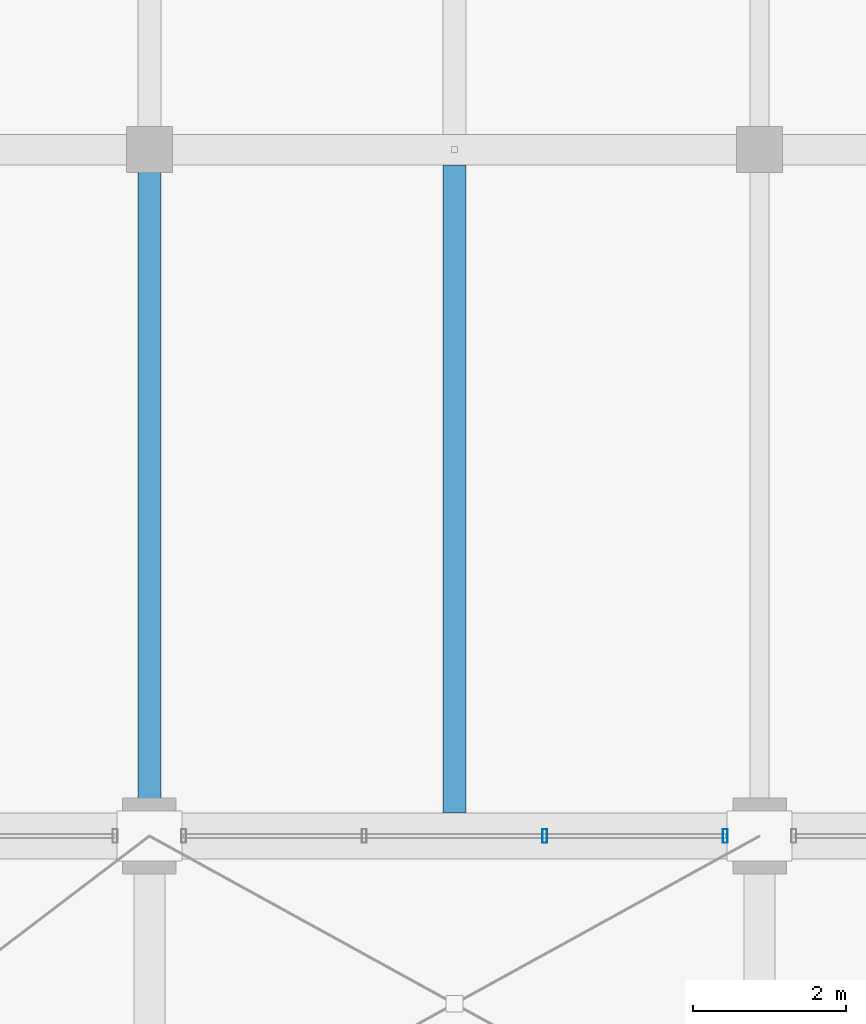
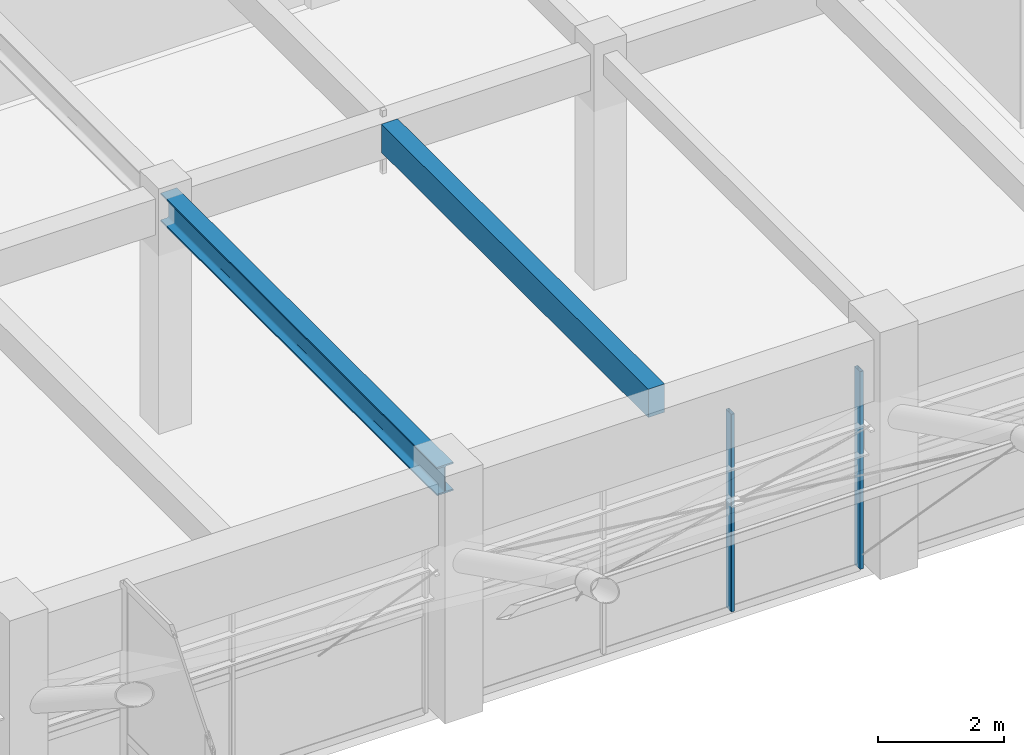
# One storey, part 36 of 144: 2 beams, 2 members, 1 element without a shape of its own.
"""IFC4 building model written with IfcOpenShell, lengths in metres."""

from ifc_helpers import new_model, si_unit, direction, frame, origin, origin_2d, place, context, subcontext, project, spatial, rectangle, hollow_rectangle, i_section, extrude, material, material_profile, profile_set, type_object, element, aggregate, save


model = new_model("IFC4")

# Units and contexts
model_context = context("Model", 3, precision=1e-05, world=origin(), true_north=direction((0.0, 1.0)))
body_context = subcontext(model_context, "Body", "Model", "MODEL_VIEW")
ifc_project = project(units=[si_unit("LENGTHUNIT", "METRE"), si_unit("AREAUNIT", "SQUARE_METRE"), si_unit("VOLUMEUNIT", "CUBIC_METRE"), si_unit("PLANEANGLEUNIT", "RADIAN"), si_unit("MASSUNIT", "GRAM", prefix="KILO")], contexts=[model_context])

# Site, building, storey
site_placement = place(None, origin())
site = spatial("IfcSite", under=ifc_project, at=site_placement, CompositionType="ELEMENT")
building_placement = place(site_placement, origin())
building = spatial("IfcBuilding", under=site, at=building_placement, Name="Varnabhumi Central Station", CompositionType="ELEMENT")
storey_placement = place(building_placement, frame((0.0, 0.0, 4.800048828125)))
storey = spatial("IfcBuildingStorey", under=building, at=storey_placement, Name="L01", CompositionType="ELEMENT", Elevation=4.800048828125)

# Beams
ifc_material_1 = material(Name="Concrete M40", Category="concrete")
ifc_material_profile_1 = material_profile(ifc_material_1, rectangle(XDim=0.300048828125, YDim=0.550048828125, at=origin_2d()), Name="Concrete M40", Category="concrete")
ifc_profile_set_1 = profile_set([ifc_material_profile_1], Name="Concrete M40")
beam_type_1 = type_object("IfcBeamType", Name="BM-RC-300x550", PredefinedType="JOIST", material=ifc_profile_set_1)
beam_1_placement = place(storey_placement, frame((12.0, 80.300048828125, 4.27490234375), z_axis=(0.0, 1.0, 0.0), x_axis=(-1.0, 0.0, 0.0)))
element("IfcBeam", 1, at=beam_1_placement, inside=storey, type_object=beam_type_1, Name="Secondary Joist L01-2/3:K-L", PredefinedType="JOIST", context=body_context, shape_type="SweptSolid", body=[
    extrude(rectangle(XDim=0.300048828125, YDim=0.550048828125, at=origin_2d()), origin(), (0.0, 0.0, 1.0), 8.5),
])
ifc_material_2 = material(Name="Structural steel E350", Category="steel")
ifc_material_profile_2 = material_profile(ifc_material_2, i_section(OverallWidth=0.300048828125, OverallDepth=0.550048828125, WebThickness=0.014892578125, FlangeThickness=0.029052734375, FilletRadius=0.027099609375, at=origin_2d()), Name="Structural steel E350", Category="steel")
ifc_profile_set_2 = profile_set([ifc_material_profile_2], Name="Structural steel E350")
beam_type_2 = type_object("IfcBeamType", Name="BM-STL-WPB550", PredefinedType="BEAM", material=ifc_profile_set_2)
beam_2_placement = place(storey_placement, frame((8.0, 80.10009765625, 4.27490234375), z_axis=(0.0, 1.0, 0.0), x_axis=(-1.0, 0.0, 0.0)))
element("IfcBeam", 2, at=beam_2_placement, inside=storey, type_object=beam_type_2, Name="Beam L01-2:K-L", PredefinedType="BEAM", context=body_context, shape_type="SweptSolid", body=[
    extrude(i_section(OverallWidth=0.300048828125, OverallDepth=0.550048828125, WebThickness=0.014892578125, FlangeThickness=0.029052734375, FilletRadius=0.027099609375, at=origin_2d()), origin(), (0.0, 0.0, 1.0), 8.7998046875),
])

# Curtain wall, members
ifc_material_3 = material(Name="Anodised aluminium 6063-T6", Category="aluminium")
curtain_wall_type = type_object("IfcCurtainWallType", Name="CW-STREET-PORTAL", PredefinedType="NOTDEFINED", material=ifc_material_3)
curtain_wall_placement = place(storey_placement, origin())
curtain_wall = element("IfcCurtainWall", 3, at=curtain_wall_placement, inside=storey, type_object=curtain_wall_type, Name="Curtain Wall CW-NSP101", PredefinedType="NOTDEFINED")
ifc_material_profile_3 = material_profile(ifc_material_3, hollow_rectangle(XDim=0.06494140625, YDim=0.179931640625, WallThickness=0.00390625, InnerFilletRadius=0.001953125, OuterFilletRadius=0.006103515625, at=origin_2d()), Name="Anodised aluminium 6063-T6", Category="aluminium")
ifc_profile_set_3 = profile_set([ifc_material_profile_3], Name="Anodised aluminium 6063-T6")
member_type = type_object("IfcMemberType", Name="CW-MUL-180", PredefinedType="MULLION", material=ifc_profile_set_3)
member_1_placement = place(storey_placement, frame((13.183349609375, 80.0, 0.0), z_axis=(0.0, 0.0, 1.0), x_axis=(1.0, 0.0, 0.0)))
member_1 = element("IfcMember", 4, at=member_1_placement, type_object=member_type, Name="Curtain Wall Mullion CW-NSP101-M3", PredefinedType="MULLION", context=body_context, shape_type="SweptSolid", body=[
    extrude(hollow_rectangle(XDim=0.06494140625, YDim=0.179931640625, WallThickness=0.00390625, InnerFilletRadius=0.001953125, OuterFilletRadius=0.006103515625, at=origin_2d()), origin(), (0.0, 0.0, 1.0), 3.83984375),
])
member_2_placement = place(storey_placement, frame((15.550048828125, 80.0, 0.0), z_axis=(0.0, 0.0, 1.0), x_axis=(1.0, 0.0, 0.0)))
member_2 = element("IfcMember", 5, at=member_2_placement, type_object=member_type, Name="Curtain Wall Mullion CW-NSP101-M4", PredefinedType="MULLION", context=body_context, shape_type="SweptSolid", body=[
    extrude(hollow_rectangle(XDim=0.06494140625, YDim=0.179931640625, WallThickness=0.00390625, InnerFilletRadius=0.001953125, OuterFilletRadius=0.006103515625, at=origin_2d()), origin(), (0.0, 0.0, 1.0), 3.83984375),
])
aggregate(curtain_wall, [member_1, member_2])

save(model, "model.ifc")
